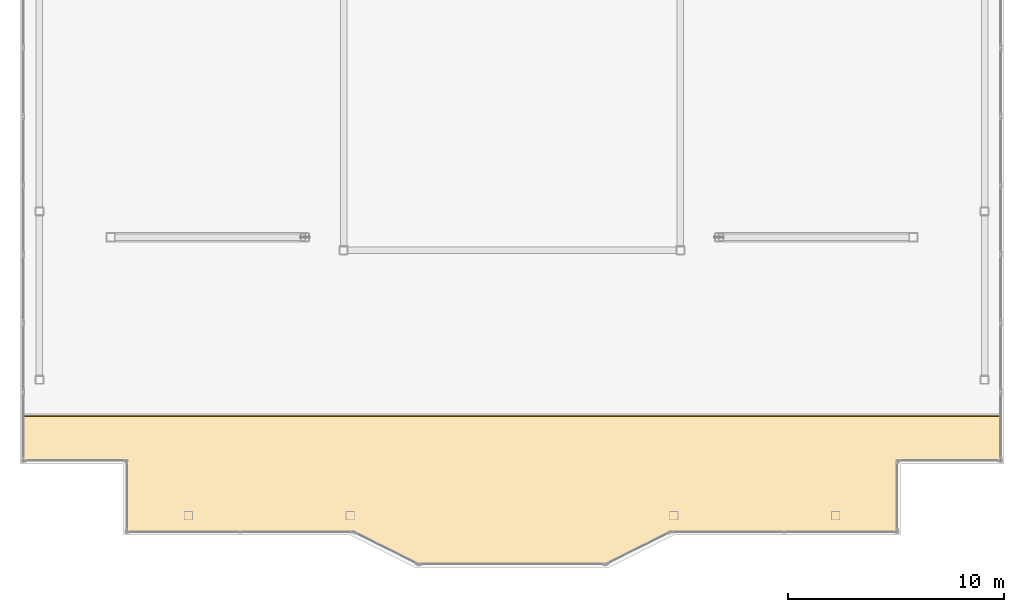
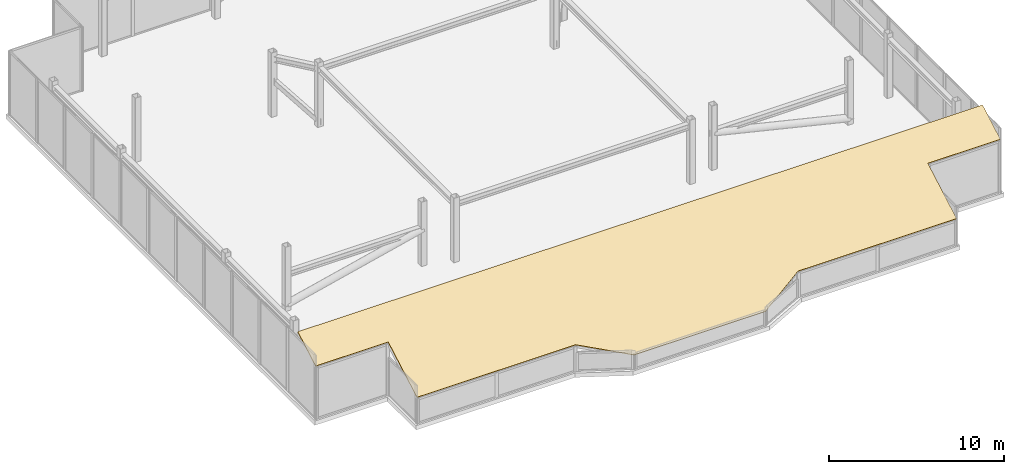
# One storey, part 16 of 16: 1 covering.
"""IFC4 building model written with IfcOpenShell, lengths in metres."""

from ifc_helpers import new_model, si_unit, direction, frame, origin, place, context, subcontext, project, spatial, polyline, outline, extrude, material, layer, layer_set, type_object, element, save


model = new_model("IFC4")

# Units and contexts
model_context = context("Model", 3, precision=1e-05, world=origin(), true_north=direction((0.0, 1.0)))
body_context = subcontext(model_context, "Body", "Model", "MODEL_VIEW")
ifc_project = project(units=[si_unit("LENGTHUNIT", "METRE"), si_unit("AREAUNIT", "SQUARE_METRE"), si_unit("VOLUMEUNIT", "CUBIC_METRE"), si_unit("PLANEANGLEUNIT", "RADIAN"), si_unit("MASSUNIT", "GRAM", prefix="KILO")], contexts=[model_context])

# Site, building, storey
site_placement = place(None, origin())
site = spatial("IfcSite", under=ifc_project, at=site_placement, CompositionType="ELEMENT")
building_placement = place(site_placement, origin())
building = spatial("IfcBuilding", under=site, at=building_placement, Name="Tarnavaz Court Tower", CompositionType="ELEMENT")
storey_placement = place(building_placement, frame((0.0, 0.0, 290.550048828125)))
storey = spatial("IfcBuildingStorey", under=building, at=storey_placement, Name="C03", CompositionType="ELEMENT", Elevation=290.550048828125)

# Covering
ifc_material = material(Name="TPO High-Albedo Waterproofing Membrane and Terracotta Tile", Category="masonry")
ifc_layer = layer(ifc_material, 0.06005859375)
ifc_layer_set = layer_set([ifc_layer], Name="TPO High-Albedo Waterproofing Membrane and Terracotta Tile")
covering_type = type_object("IfcCoveringType", Name="CV-ROOF-MEM", PredefinedType="ROOFING", material=ifc_layer_set)
covering_placement = place(storey_placement, frame((-22.64990234375, -17.550048828125, 3.70947265625), z_axis=(0.0, -0.492267677263, 0.870443871782), x_axis=(0.0, 0.870443871782, 0.492267677263)))
element("IfcCovering", 1, at=covering_placement, inside=storey, type_object=covering_type, Name="C03 Terracotta-Tiled Crown Roof Waterproofing Membrane ALL", PredefinedType="ROOFING", context=body_context, shape_type="SweptSolid", body=[
    extrude(outline(polyline([(0.0, 0.0), (2.3551993141288654, 0.0), (2.3551993141288654, -45.29980468749999), (0.0, -45.29980468749999), (0.0, -40.49999999999999), (-3.79118260250729, -40.49999999999999), (-3.79118260250729, -29.999999999999996), (-5.514482731099793, -26.999999999999996), (-5.514482731099793, -18.299804687499996), (-3.79118260250729, -15.299804687499998), (-3.79118260250729, -4.799804687499999), (0.0, -4.799804687499999), (0.0, 0.0)])), origin(), (0.0, 0.0, -1.0), 0.06005859375),
])

save(model, "model.ifc")
